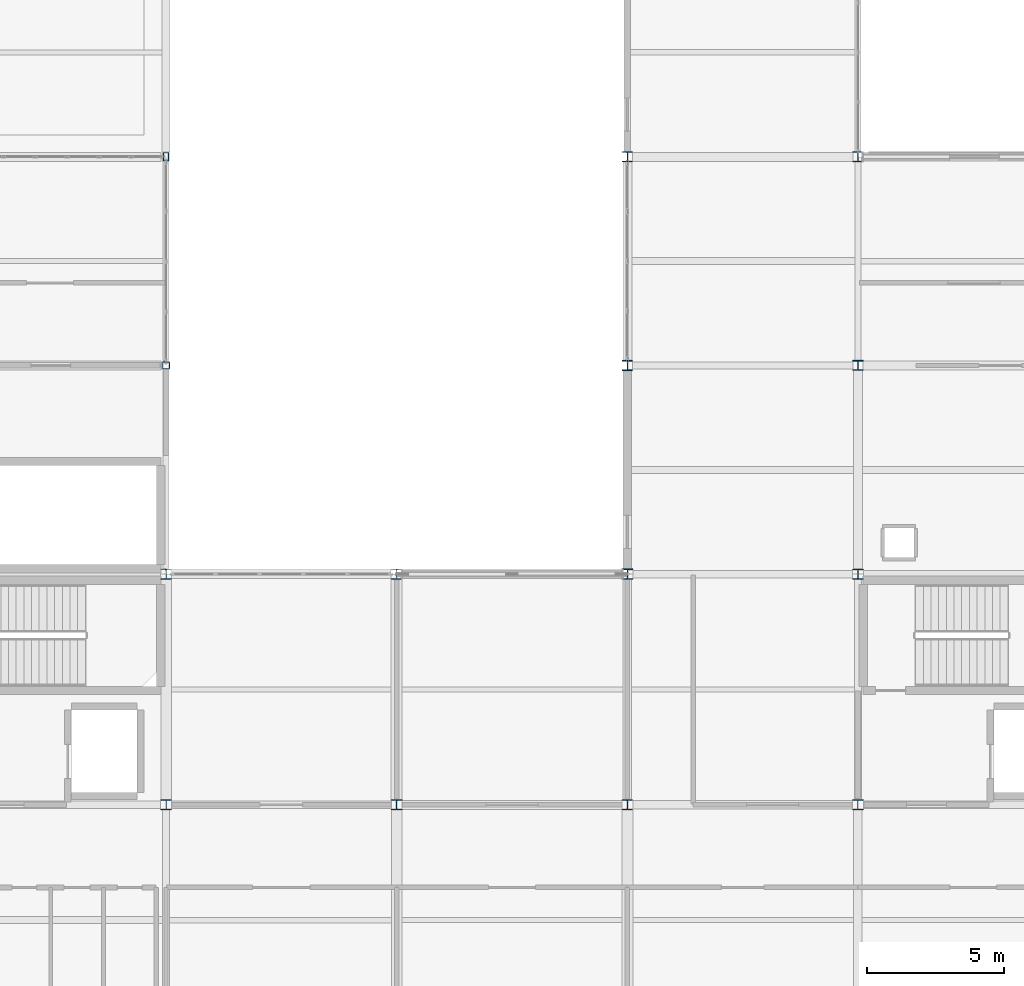
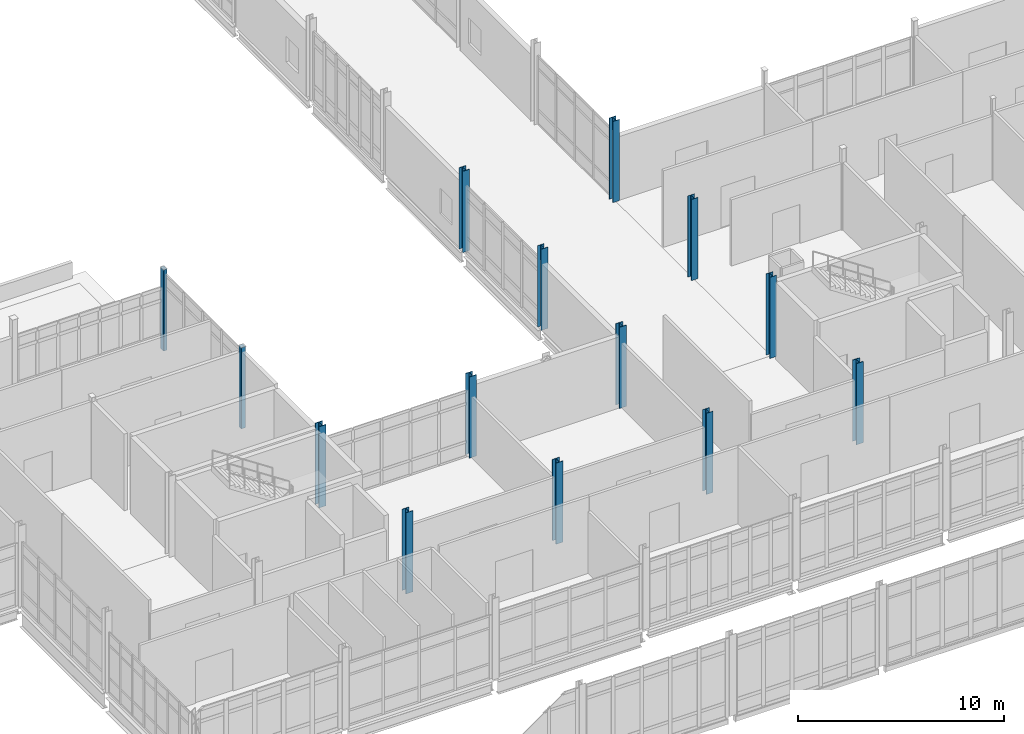
# One storey, part 4 of 186: 14 columns.
"""IFC4 building model written with IfcOpenShell, lengths in metres."""

from ifc_helpers import new_model, si_unit, direction, frame, origin, origin_2d, place, context, subcontext, project, spatial, hollow_rectangle, i_section, extrude, material, material_profile, profile_set, type_object, element, save


model = new_model("IFC4")

# Units and contexts
model_context = context("Model", 3, precision=1e-05, world=origin(), true_north=direction((0.0, 1.0)))
body_context = subcontext(model_context, "Body", "Model", "MODEL_VIEW")
ifc_project = project(units=[si_unit("LENGTHUNIT", "METRE"), si_unit("AREAUNIT", "SQUARE_METRE"), si_unit("VOLUMEUNIT", "CUBIC_METRE"), si_unit("PLANEANGLEUNIT", "RADIAN"), si_unit("MASSUNIT", "GRAM", prefix="KILO")], contexts=[model_context])

# Site, building, storey
site_placement = place(None, origin())
site = spatial("IfcSite", under=ifc_project, at=site_placement, CompositionType="ELEMENT")
building_placement = place(site_placement, origin())
building = spatial("IfcBuilding", under=site, at=building_placement, Name="Calvrana Isthmian Art Gallery", CompositionType="ELEMENT")
storey_placement = place(building_placement, frame((0.0, 0.0, 5.39990234375)))
storey = spatial("IfcBuildingStorey", under=building, at=storey_placement, Name="L01", CompositionType="ELEMENT", Elevation=5.39990234375)

# Columns
ifc_material_1 = material(Name="Steel ASTM A500 Gr C", Category="steel")
ifc_material_profile_1 = material_profile(ifc_material_1, hollow_rectangle(XDim=0.25390625, YDim=0.25390625, WallThickness=0.0126953125, OuterFilletRadius=0.02490234375, at=origin_2d()), Name="HSS254X254X12.7")
ifc_profile_set_1 = profile_set([ifc_material_profile_1], Name="Steel ASTM A500 Gr C")
column_type_1 = type_object("IfcColumnType", Name="COL-STL-HSS254X254X12.7", PredefinedType="COLUMN", material=ifc_profile_set_1)
column_1_placement = place(storey_placement, frame((38.39990234375, 54.39990234375, 0.0), z_axis=(0.0, 0.0, 1.0), x_axis=(1.0, 0.0, 0.0)))
element("IfcColumn", 1, at=column_1_placement, inside=storey, type_object=column_type_1, Name="Column 06/H L01", PredefinedType="COLUMN", context=body_context, shape_type="SweptSolid", body=[
    extrude(hollow_rectangle(XDim=0.25390625, YDim=0.25390625, WallThickness=0.0126953125, OuterFilletRadius=0.02490234375, at=origin_2d()), origin(), (0.0, 0.0, 1.0), 4.800048828125),
])
ifc_material_profile_2 = material_profile(ifc_material_1, hollow_rectangle(XDim=0.203125, YDim=0.3046875, WallThickness=0.0126953125, OuterFilletRadius=0.02490234375, at=origin_2d()), Name="HSS305X203X12.7")
ifc_profile_set_2 = profile_set([ifc_material_profile_2], Name="Steel ASTM A500 Gr C")
column_type_2 = type_object("IfcColumnType", Name="COL-STL-HSS305X203X12.7", PredefinedType="COLUMN", material=ifc_profile_set_2)
column_2_placement = place(storey_placement, frame((38.39990234375, 62.0, 0.0), z_axis=(0.0, 0.0, 1.0), x_axis=(1.0, 0.0, 0.0)))
element("IfcColumn", 2, at=column_2_placement, inside=storey, type_object=column_type_2, Name="Column 06/I L01", PredefinedType="COLUMN", context=body_context, shape_type="SweptSolid", body=[
    extrude(hollow_rectangle(XDim=0.203125, YDim=0.3046875, WallThickness=0.0126953125, OuterFilletRadius=0.02490234375, at=origin_2d()), origin(), (0.0, 0.0, 1.0), 4.800048828125),
])
ifc_material_2 = material(Name="Steel ASTM A992 Gr 50", Category="steel")
ifc_material_profile_3 = material_profile(ifc_material_2, i_section(OverallWidth=0.37109375, OverallDepth=0.363037109375, WebThickness=0.01318359375, FlangeThickness=0.021728515625, FilletRadius=0.02490234375, at=origin_2d()), Name="W14X109")
ifc_profile_set_3 = profile_set([ifc_material_profile_3], Name="Steel ASTM A992 Gr 50")
column_type_3 = type_object("IfcColumnType", Name="COL-STL-W14X109", PredefinedType="COLUMN", material=ifc_profile_set_3)
column_3_placement = place(storey_placement, frame((63.60009765625, 54.39990234375, 0.0), z_axis=(0.0, 0.0, 1.0), x_axis=(1.0, 0.0, 0.0)))
element("IfcColumn", 3, at=column_3_placement, inside=storey, type_object=column_type_3, Name="Column 09/H L01", PredefinedType="COLUMN", context=body_context, shape_type="SweptSolid", body=[
    extrude(i_section(OverallWidth=0.37109375, OverallDepth=0.363037109375, WebThickness=0.01318359375, FlangeThickness=0.021728515625, FilletRadius=0.02490234375, at=origin_2d()), origin(), (0.0, 0.0, 1.0), 4.800048828125),
])
ifc_material_profile_4 = material_profile(ifc_material_2, i_section(OverallWidth=0.373046875, OverallDepth=0.367919921875, WebThickness=0.014892578125, FlangeThickness=0.02392578125, FilletRadius=0.02490234375, at=origin_2d()), Name="W14X120")
ifc_profile_set_4 = profile_set([ifc_material_profile_4], Name="Steel ASTM A992 Gr 50")
column_type_4 = type_object("IfcColumnType", Name="COL-STL-W14X120", PredefinedType="COLUMN", material=ifc_profile_set_4)
for number, where, z_axis, x_axis, name in (
    (4, (55.199951171875, 54.39990234375, 0.0), (0.0, 0.0, 1.0), (1.0, 0.0, 0.0), "Column 08/H L01"),
    (5, (63.60009765625, 62.0, 0.0), (0.0, 0.0, 1.0), (1.0, 0.0, 0.0), "Column 09/I L01"),
):
    element("IfcColumn", number, at=place(storey_placement, frame(where, z_axis=z_axis, x_axis=x_axis)), inside=storey, type_object=column_type_4, Name=name, PredefinedType="COLUMN", context=body_context, shape_type="SweptSolid", body=[
        extrude(i_section(OverallWidth=0.373046875, OverallDepth=0.367919921875, WebThickness=0.014892578125, FlangeThickness=0.02392578125, FilletRadius=0.02490234375, at=origin_2d()), origin(), (0.0, 0.0, 1.0), 4.800048828125),
    ])
ifc_material_profile_5 = material_profile(ifc_material_2, i_section(OverallWidth=0.373046875, OverallDepth=0.373046875, WebThickness=0.016357421875, FlangeThickness=0.026123046875, FilletRadius=0.02490234375, at=origin_2d()), Name="W14X132")
ifc_profile_set_5 = profile_set([ifc_material_profile_5], Name="Steel ASTM A992 Gr 50")
column_type_5 = type_object("IfcColumnType", Name="COL-STL-W14X132", PredefinedType="COLUMN", material=ifc_profile_set_5)
for number, where, z_axis, x_axis, name in (
    (6, (55.199951171875, 38.39990234375, 0.0), (0.0, 0.0, 1.0), (1.0, 0.0, 0.0), "Column 08/F L01"),
    (7, (55.199951171875, 62.0, 0.0), (0.0, 0.0, 1.0), (1.0, 0.0, 0.0), "Column 08/I L01"),
    (8, (63.60009765625, 46.800048828125, 0.0), (0.0, 0.0, 1.0), (1.0, 0.0, 0.0), "Column 09/G L01"),
):
    element("IfcColumn", number, at=place(storey_placement, frame(where, z_axis=z_axis, x_axis=x_axis)), inside=storey, type_object=column_type_5, Name=name, PredefinedType="COLUMN", context=body_context, shape_type="SweptSolid", body=[
        extrude(i_section(OverallWidth=0.373046875, OverallDepth=0.373046875, WebThickness=0.016357421875, FlangeThickness=0.026123046875, FilletRadius=0.02490234375, at=origin_2d()), origin(), (0.0, 0.0, 1.0), 4.800048828125),
    ])
ifc_material_profile_6 = material_profile(ifc_material_2, i_section(OverallWidth=0.39404296875, OverallDepth=0.3759765625, WebThickness=0.017333984375, FlangeThickness=0.027587890625, FilletRadius=0.02490234375, at=origin_2d()), Name="W14X145")
ifc_profile_set_6 = profile_set([ifc_material_profile_6], Name="Steel ASTM A992 Gr 50")
column_type_6 = type_object("IfcColumnType", Name="COL-STL-W14X145", PredefinedType="COLUMN", material=ifc_profile_set_6)
for number, where, z_axis, x_axis, name in (
    (9, (46.800048828125, 38.39990234375, 0.0), (0.0, 0.0, 1.0), (1.0, 0.0, 0.0), "Column 07/F L01"),
    (10, (55.199951171875, 46.800048828125, 0.0), (0.0, 0.0, 1.0), (1.0, 0.0, 0.0), "Column 08/G L01"),
):
    element("IfcColumn", number, at=place(storey_placement, frame(where, z_axis=z_axis, x_axis=x_axis)), inside=storey, type_object=column_type_6, Name=name, PredefinedType="COLUMN", context=body_context, shape_type="SweptSolid", body=[
        extrude(i_section(OverallWidth=0.39404296875, OverallDepth=0.3759765625, WebThickness=0.017333984375, FlangeThickness=0.027587890625, FilletRadius=0.02490234375, at=origin_2d()), origin(), (0.0, 0.0, 1.0), 4.800048828125),
    ])
ifc_material_profile_7 = material_profile(ifc_material_2, i_section(OverallWidth=0.39599609375, OverallDepth=0.381103515625, WebThickness=0.018798828125, FlangeThickness=0.0302734375, FilletRadius=0.02490234375, at=origin_2d()), Name="W14X159")
ifc_profile_set_7 = profile_set([ifc_material_profile_7], Name="Steel ASTM A992 Gr 50")
column_type_7 = type_object("IfcColumnType", Name="COL-STL-W14X159", PredefinedType="COLUMN", material=ifc_profile_set_7)
for number, where, z_axis, x_axis, name in (
    (11, (38.39990234375, 38.39990234375, 0.0), (0.0, 0.0, 1.0), (1.0, 0.0, 0.0), "Column 06/F L01"),
    (12, (46.800048828125, 46.800048828125, 0.0), (0.0, 0.0, 1.0), (1.0, 0.0, 0.0), "Column 07/G L01"),
):
    element("IfcColumn", number, at=place(storey_placement, frame(where, z_axis=z_axis, x_axis=x_axis)), inside=storey, type_object=column_type_7, Name=name, PredefinedType="COLUMN", context=body_context, shape_type="SweptSolid", body=[
        extrude(i_section(OverallWidth=0.39599609375, OverallDepth=0.381103515625, WebThickness=0.018798828125, FlangeThickness=0.0302734375, FilletRadius=0.02490234375, at=origin_2d()), origin(), (0.0, 0.0, 1.0), 4.800048828125),
    ])
ifc_material_profile_8 = material_profile(ifc_material_2, i_section(OverallWidth=0.39892578125, OverallDepth=0.385986328125, WebThickness=0.02099609375, FlangeThickness=0.033203125, FilletRadius=0.02490234375, at=origin_2d()), Name="W14X176")
ifc_profile_set_8 = profile_set([ifc_material_profile_8], Name="Steel ASTM A992 Gr 50")
column_type_8 = type_object("IfcColumnType", Name="COL-STL-W14X176", PredefinedType="COLUMN", material=ifc_profile_set_8)
for number, where, z_axis, x_axis, name in (
    (13, (38.39990234375, 46.800048828125, 0.0), (0.0, 0.0, 1.0), (1.0, 0.0, 0.0), "Column 06/G L01"),
    (14, (63.60009765625, 38.39990234375, 0.0), (0.0, 0.0, 1.0), (1.0, 0.0, 0.0), "Column 09/F L01"),
):
    element("IfcColumn", number, at=place(storey_placement, frame(where, z_axis=z_axis, x_axis=x_axis)), inside=storey, type_object=column_type_8, Name=name, PredefinedType="COLUMN", context=body_context, shape_type="SweptSolid", body=[
        extrude(i_section(OverallWidth=0.39892578125, OverallDepth=0.385986328125, WebThickness=0.02099609375, FlangeThickness=0.033203125, FilletRadius=0.02490234375, at=origin_2d()), origin(), (0.0, 0.0, 1.0), 4.800048828125),
    ])

save(model, "model.ifc")
